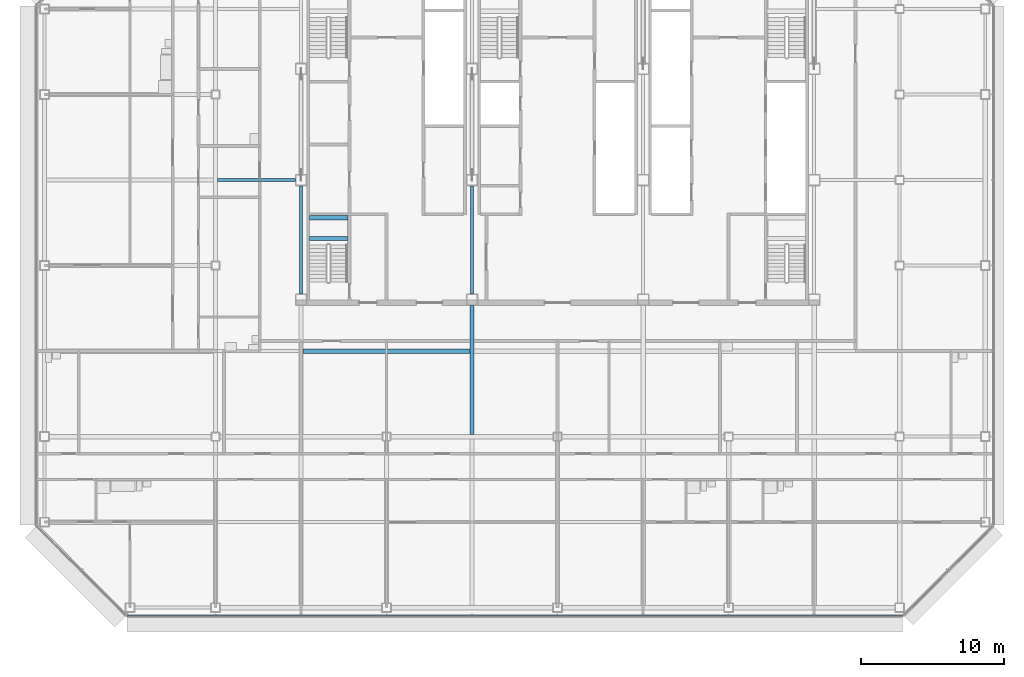
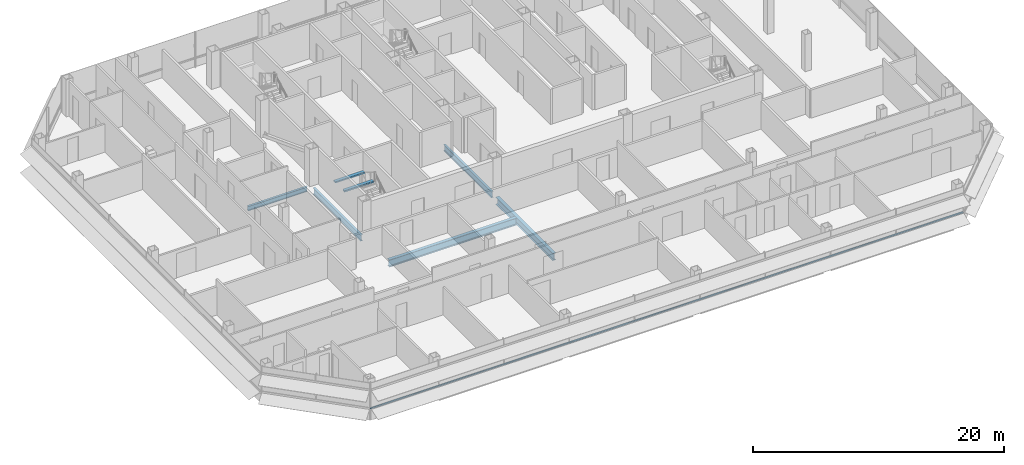
# One storey, part 7 of 26: 7 beams, 1 member, 1 element without a shape of its own.
"""IFC4 building model written with IfcOpenShell, lengths in metres."""

from ifc_helpers import new_model, si_unit, direction, frame, origin, origin_2d, place, context, subcontext, project, spatial, rectangle, i_section, extrude, material, material_profile, profile_set, type_object, element, aggregate, save


model = new_model("IFC4")

# Units and contexts
model_context = context("Model", 3, precision=1e-05, world=origin(), true_north=direction((0.0, 1.0)))
body_context = subcontext(model_context, "Body", "Model", "MODEL_VIEW")
ifc_project = project(units=[si_unit("LENGTHUNIT", "METRE"), si_unit("AREAUNIT", "SQUARE_METRE"), si_unit("VOLUMEUNIT", "CUBIC_METRE"), si_unit("PLANEANGLEUNIT", "RADIAN"), si_unit("MASSUNIT", "GRAM", prefix="KILO")], contexts=[model_context])

# Site, building, storey
site_placement = place(None, origin())
site = spatial("IfcSite", under=ifc_project, at=site_placement, CompositionType="ELEMENT")
building_placement = place(site_placement, origin())
building = spatial("IfcBuilding", under=site, at=building_placement, Name="Sorahane Residences", CompositionType="ELEMENT")
storey_placement = place(building_placement, frame((0.0, 0.0, 243.199951171875)))
storey = spatial("IfcBuildingStorey", under=building, at=storey_placement, Name="L57", CompositionType="ELEMENT", Elevation=243.199951171875)

# Curtain wall, member
ifc_material_1 = material(Name="Dark low-e glass and black anodised aluminium", Category="aluminium")
curtain_wall_type = type_object("IfcCurtainWallType", Name="Curtain wall CW-1 Typical unitised wall", PredefinedType="NOTDEFINED", material=ifc_material_1)
curtain_wall_placement = place(storey_placement, origin())
curtain_wall = element("IfcCurtainWall", 1, at=curtain_wall_placement, inside=storey, type_object=curtain_wall_type, Name="CW-1 curtain wall L57 S1", PredefinedType="NOTDEFINED")
ifc_material_2 = material(Name="Black anodised aluminium", Category="aluminium")
ifc_material_profile_1 = material_profile(ifc_material_2, rectangle(XDim=0.10009765625, YDim=0.06005859375, at=origin_2d()), Name="Curtain wall transom CW-1 black anodised aluminium 60x100")
ifc_profile_set_1 = profile_set([ifc_material_profile_1], Name="Black anodised aluminium")
member_type = type_object("IfcMemberType", Name="Curtain wall transom CW-1 black anodised aluminium 60x100", PredefinedType="USERDEFINED", material=ifc_profile_set_1)
member_placement = place(storey_placement, frame((-6.198486328125, -0.530029296875, 0.900146484375), z_axis=(1.0, 0.0, 0.0), x_axis=(0.0, 1.0, 0.0)))
member = element("IfcMember", 2, at=member_placement, type_object=member_type, Name="CW-1 transom L57 S1", ObjectType="TRANSOM", PredefinedType="USERDEFINED", context=body_context, shape_type="SweptSolid", body=[
    extrude(rectangle(XDim=0.10009765625, YDim=0.06005859375, at=origin_2d()), origin(), (0.0, 0.0, 1.0), 54.39697265625),
])
aggregate(curtain_wall, [member])

# Beams
ifc_material_3 = material(Name="Concrete C40", Category="concrete")
ifc_material_profile_2 = material_profile(ifc_material_3, rectangle(XDim=0.300048828125, YDim=0.139892578125, at=origin_2d()), Name="300x140")
ifc_profile_set_2 = profile_set([ifc_material_profile_2], Name="Concrete C40")
beam_type_1 = type_object("IfcBeamType", Name="RC landing beam 300 x 140 Concrete C40", PredefinedType="BEAM", material=ifc_profile_set_2)
for number, where, z_axis, x_axis, name in (
    (3, (6.60009765625, 25.89990234375, 1.530029296875), (1.0, 0.0, 0.0), (0.0, 1.0, 0.0), "Landing beam"),
    (4, (6.60009765625, 27.35009765625, 1.530029296875), (1.0, 0.0, 0.0), (0.0, 1.0, 0.0), "Landing beam"),
):
    element("IfcBeam", number, at=place(storey_placement, frame(where, z_axis=z_axis, x_axis=x_axis)), inside=storey, type_object=beam_type_1, Name=name, PredefinedType="BEAM", context=body_context, shape_type="SweptSolid", body=[
        extrude(rectangle(XDim=0.300048828125, YDim=0.139892578125, at=origin_2d()), origin(), (0.0, 0.0, 1.0), 2.699951171875),
    ])
ifc_material_4 = material(Name="Steel Q355B", Category="steel")
ifc_material_profile_3 = material_profile(ifc_material_4, i_section(OverallWidth=0.199951171875, OverallDepth=0.449951171875, WebThickness=0.009033203125, FlangeThickness=0.013916015625, FilletRadius=0.02001953125, at=origin_2d()), Name="HN 450x200x9x14")
ifc_profile_set_3 = profile_set([ifc_material_profile_3], Name="Steel Q355B")
beam_type_2 = type_object("IfcBeamType", Name="Steel floor beam HN 450x200x9x14 Q355B", PredefinedType="BEAM", material=ifc_profile_set_3)
beam_1_placement = place(storey_placement, frame((0.14990234375, 30.0, -0.405029296875), z_axis=(1.0, 0.0, 0.0), x_axis=(0.0, 1.0, 0.0)))
element("IfcBeam", 5, at=beam_1_placement, inside=storey, type_object=beam_type_2, Name="Beam L57 086", PredefinedType="BEAM", context=body_context, shape_type="SweptSolid", body=[
    extrude(i_section(OverallWidth=0.199951171875, OverallDepth=0.449951171875, WebThickness=0.009033203125, FlangeThickness=0.013916015625, FilletRadius=0.02001953125, at=origin_2d()), origin(), (0.0, 0.0, 1.0), 5.4501953125),
])
ifc_material_5 = material(Name="Steel Q355B", Category="steel")
ifc_material_profile_4 = material_profile(ifc_material_5, i_section(OverallWidth=0.199951171875, OverallDepth=0.60009765625, WebThickness=0.010986328125, FlangeThickness=0.01708984375, FilletRadius=0.02392578125, at=origin_2d()), Name="HN 600x200x11x17")
ifc_profile_set_4 = profile_set([ifc_material_profile_4], Name="Steel Q355B")
beam_type_3 = type_object("IfcBeamType", Name="Steel floor beam HN 600x200x11x17 Q355B", PredefinedType="BEAM", material=ifc_profile_set_4)
for number, where, z_axis, x_axis, name in (
    (6, (6.0, 22.0, -0.47998046875), (0.0, 1.0, 0.0), (-1.0, 0.0, 0.0), "Beam L57 030"),
    (7, (18.0, 22.0, -0.47998046875), (0.0, 1.0, 0.0), (-1.0, 0.0, 0.0), "Beam L57 038"),
):
    element("IfcBeam", number, at=place(storey_placement, frame(where, z_axis=z_axis, x_axis=x_axis)), inside=storey, type_object=beam_type_3, Name=name, PredefinedType="BEAM", context=body_context, shape_type="SweptSolid", body=[
        extrude(i_section(OverallWidth=0.199951171875, OverallDepth=0.60009765625, WebThickness=0.010986328125, FlangeThickness=0.01708984375, FilletRadius=0.02392578125, at=origin_2d()), origin(), (0.0, 0.0, 1.0), 7.60009765625),
    ])
ifc_material_6 = material(Name="Steel Q355B", Category="steel")
ifc_material_profile_5 = material_profile(ifc_material_6, i_section(OverallWidth=0.300048828125, OverallDepth=0.699951171875, WebThickness=0.012939453125, FlangeThickness=0.02392578125, FilletRadius=0.028076171875, at=origin_2d()), Name="HN 700x300x13x24")
ifc_profile_set_5 = profile_set([ifc_material_profile_5], Name="Steel Q355B")
beam_type_4 = type_object("IfcBeamType", Name="Steel floor beam HN 700x300x13x24 Q355B", PredefinedType="BEAM", material=ifc_profile_set_5)
beam_2_placement = place(storey_placement, frame((18.0, 12.14990234375, -0.530029296875), z_axis=(0.0, 1.0, 0.0), x_axis=(-1.0, 0.0, 0.0)))
element("IfcBeam", 8, at=beam_2_placement, inside=storey, type_object=beam_type_4, Name="Beam L57 037", PredefinedType="BEAM", context=body_context, shape_type="SweptSolid", body=[
    extrude(i_section(OverallWidth=0.300048828125, OverallDepth=0.699951171875, WebThickness=0.012939453125, FlangeThickness=0.02392578125, FilletRadius=0.028076171875, at=origin_2d()), origin(), (0.0, 0.0, 1.0), 9.050048828125),
])
beam_3_placement = place(storey_placement, frame((6.14990234375, 18.0, -0.530029296875), z_axis=(1.0, 0.0, 0.0), x_axis=(0.0, 1.0, 0.0)))
element("IfcBeam", 9, at=beam_3_placement, inside=storey, type_object=beam_type_4, Name="Beam L57 080", PredefinedType="BEAM", context=body_context, shape_type="SweptSolid", body=[
    extrude(i_section(OverallWidth=0.300048828125, OverallDepth=0.699951171875, WebThickness=0.012939453125, FlangeThickness=0.02392578125, FilletRadius=0.028076171875, at=origin_2d()), origin(), (0.0, 0.0, 1.0), 11.7001953125),
])

save(model, "model.ifc")
